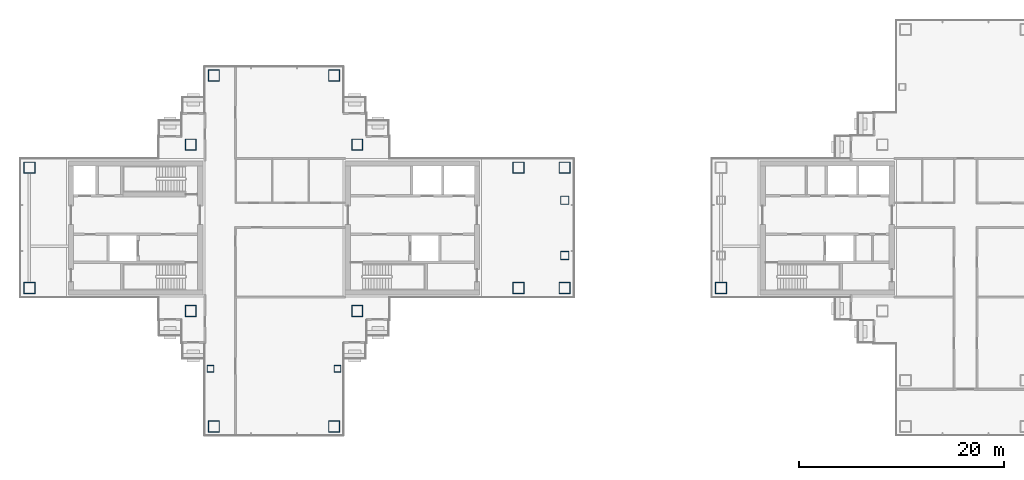
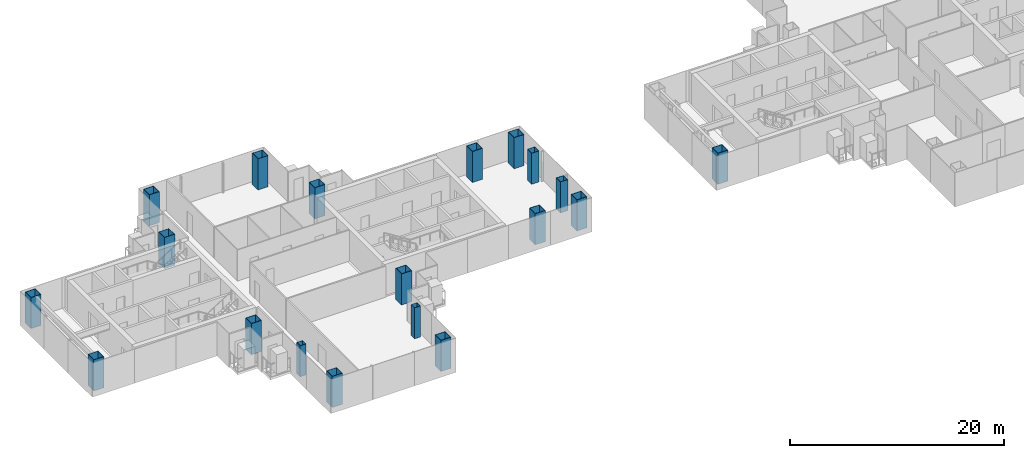
# One storey, part 1 of 17: 19 columns.
"""IFC4 building model written with IfcOpenShell, lengths in metres."""

from ifc_helpers import new_model, si_unit, direction, frame, origin, origin_2d, place, context, subcontext, project, spatial, hollow_rectangle, extrude, material, material_profile, profile_set, type_object, element, save


model = new_model("IFC4")

# Units and contexts
model_context = context("Model", 3, precision=1e-05, world=origin(), true_north=direction((0.0, 1.0)))
body_context = subcontext(model_context, "Body", "Model", "MODEL_VIEW")
ifc_project = project(units=[si_unit("LENGTHUNIT", "METRE"), si_unit("AREAUNIT", "SQUARE_METRE"), si_unit("VOLUMEUNIT", "CUBIC_METRE"), si_unit("PLANEANGLEUNIT", "RADIAN"), si_unit("MASSUNIT", "GRAM", prefix="KILO")], contexts=[model_context])

# Site, building, storey
site_placement = place(None, origin())
site = spatial("IfcSite", under=ifc_project, at=site_placement, CompositionType="ELEMENT")
building_placement = place(site_placement, origin())
building = spatial("IfcBuilding", under=site, at=building_placement, Name="Shamsa Quay Exchange Towers", CompositionType="ELEMENT")
storey_placement = place(building_placement, frame((0.0, 0.0, 170.10009765625)))
storey = spatial("IfcBuildingStorey", under=building, at=storey_placement, Name="L40", CompositionType="ELEMENT", Elevation=170.10009765625)

# Columns
ifc_material_1 = material(Name="Concrete-filled steel tube S355 / C80/95", Category="concrete")
ifc_material_profile_1 = material_profile(ifc_material_1, hollow_rectangle(XDim=1.10009765625, YDim=1.10009765625, WallThickness=0.0400390625, at=origin_2d()), Name="CFT 1100x1100x40")
ifc_profile_set_1 = profile_set([ifc_material_profile_1], Name="Concrete-filled steel tube S355 / C80/95")
column_type_1 = type_object("IfcColumnType", Name="Column CFT 1100x1100x40", PredefinedType="COLUMN", material=ifc_profile_set_1)
for number, where, name in (
    (1, (-25.625, 8.125, 0.0), "Mega column T1-CM01"),
    (2, (-25.625, -8.125, 0.0), "Mega column T1-CM02"),
    (3, (-41.875, 8.125, 0.0), "Mega column T1-CM03"),
    (4, (-41.875, -8.125, 0.0), "Mega column T1-CM04"),
    (5, (-9.875, -5.875, 0.0), "Mega column T1-CM05"),
    (6, (-5.375, -5.875, 0.0), "Mega column T1-CM06"),
    (7, (-9.875, 5.875, 0.0), "Mega column T1-CM07"),
    (8, (-5.375, 5.875, 0.0), "Mega column T1-CM08"),
    (9, (-57.625, -5.875, 0.0), "Mega column T1-CM09"),
    (10, (-57.625, 5.875, 0.0), "Mega column T1-CM11"),
    (11, (-39.625, 14.875, 0.0), "Mega column T1-CM13"),
    (12, (-27.875, 14.875, 0.0), "Mega column T1-CM16"),
    (13, (-39.625, -19.375, 0.0), "Mega column T1-CM20"),
    (14, (-27.875, -19.375, 0.0), "Mega column T1-CM23"),
    (15, (9.875, -5.875, 0.0), "Mega column T2-CM19"),
):
    element("IfcColumn", number, at=place(storey_placement, frame(where)), inside=storey, type_object=column_type_1, Name=name, PredefinedType="COLUMN", context=body_context, shape_type="SweptSolid", body=[
        extrude(hollow_rectangle(XDim=1.10009765625, YDim=1.10009765625, WallThickness=0.0400390625, at=origin_2d()), origin(), (0.0, 0.0, 1.0), 3.5498046875),
    ])
ifc_material_2 = material(Name="Concrete-filled steel tube S355 / C60/75", Category="concrete")
ifc_material_profile_2 = material_profile(ifc_material_2, hollow_rectangle(XDim=0.64990234375, YDim=0.64990234375, WallThickness=0.02001953125, at=origin_2d()), Name="CFT 650x650x20")
ifc_profile_set_2 = profile_set([ifc_material_profile_2], Name="Concrete-filled steel tube S355 / C60/75")
column_type_2 = type_object("IfcColumnType", Name="Column CFT 650x650x20", PredefinedType="COLUMN", material=ifc_profile_set_2)
for number, where, name in (
    (16, (-39.9375, -13.75, 0.0), "Perimeter column T1-CP19"),
    (17, (-27.5625, -13.75, 0.0), "Perimeter column T1-CP22"),
):
    element("IfcColumn", number, at=place(storey_placement, frame(where)), inside=storey, type_object=column_type_2, Name=name, PredefinedType="COLUMN", context=body_context, shape_type="SweptSolid", body=[
        extrude(hollow_rectangle(XDim=0.64990234375, YDim=0.64990234375, WallThickness=0.02001953125, at=origin_2d()), origin(), (0.0, 0.0, 1.0), 3.5498046875),
    ])
ifc_material_3 = material(Name="Concrete-filled steel tube S355 / C70/85", Category="concrete")
ifc_material_profile_3 = material_profile(ifc_material_3, hollow_rectangle(XDim=0.800048828125, YDim=0.800048828125, WallThickness=0.030029296875, at=origin_2d()), Name="CFT 800x800x30")
ifc_profile_set_3 = profile_set([ifc_material_profile_3], Name="Concrete-filled steel tube S355 / C70/85")
column_type_3 = type_object("IfcColumnType", Name="Landing column CFT 800x800x30", PredefinedType="COLUMN", material=ifc_profile_set_3)
for number, where, name in (
    (18, (-5.375, -2.699951171875, 0.0), "Landing column T1 S"),
    (19, (-5.375, 2.699951171875, 0.0), "Landing column T1 N"),
):
    element("IfcColumn", number, at=place(storey_placement, frame(where)), inside=storey, type_object=column_type_3, Name=name, PredefinedType="COLUMN", context=body_context, shape_type="SweptSolid", body=[
        extrude(hollow_rectangle(XDim=0.800048828125, YDim=0.800048828125, WallThickness=0.030029296875, at=origin_2d()), origin(), (0.0, 0.0, 1.0), 3.5498046875),
    ])

save(model, "model.ifc")
